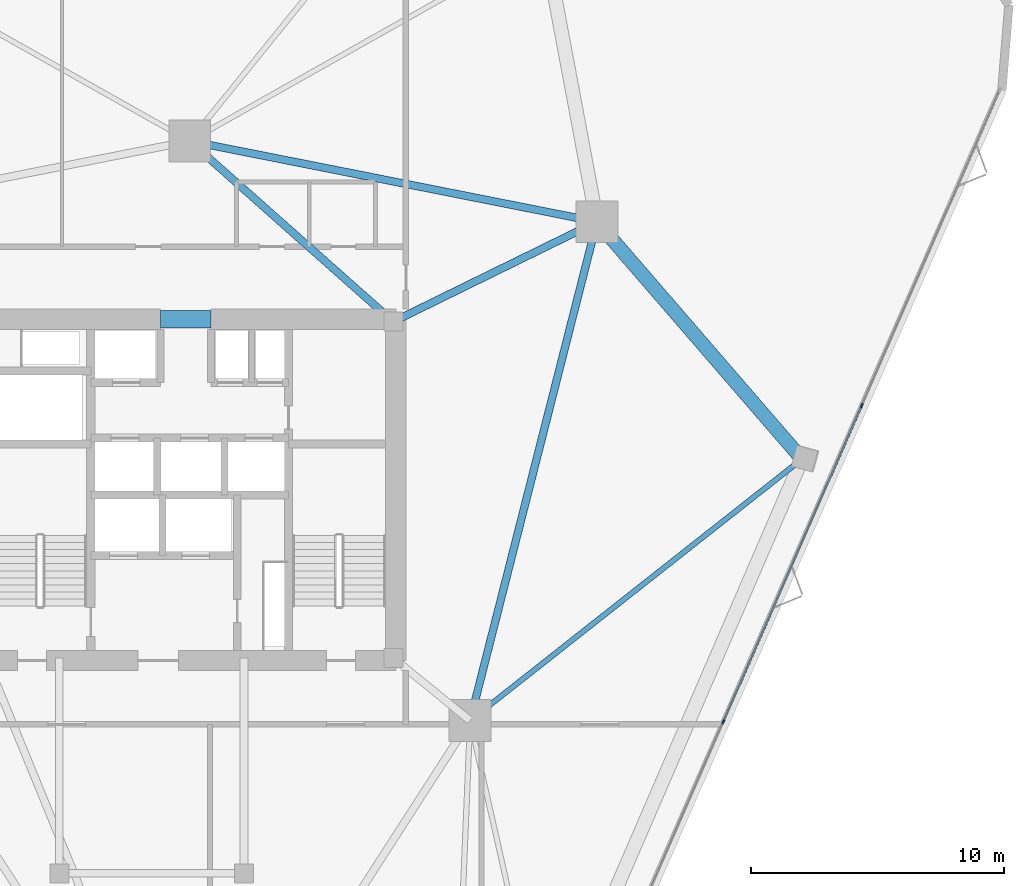
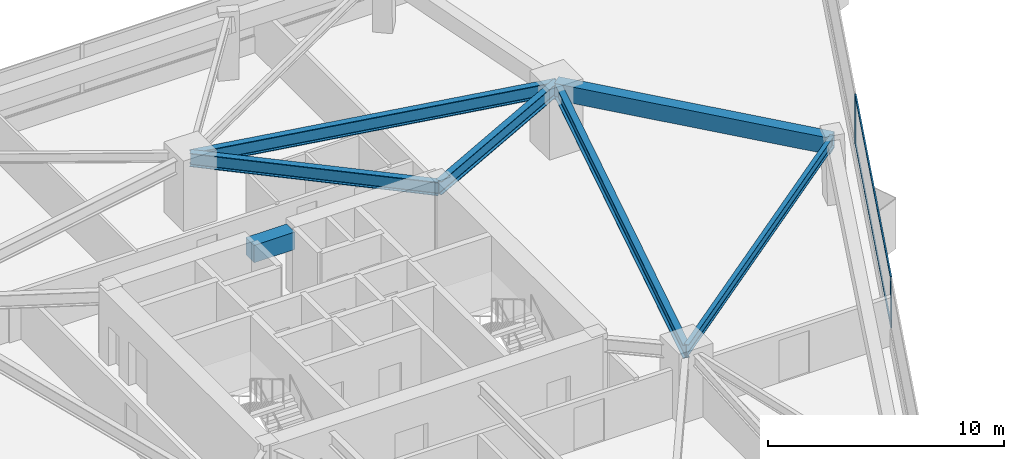
# One storey, part 10 of 20: 7 beams, 4 members, 1 element without a shape of its own.
"""IFC4 building model written with IfcOpenShell, lengths in metres."""

from ifc_helpers import new_model, si_unit, direction, frame, origin, origin_2d, place, context, subcontext, project, spatial, rectangle, i_section, extrude, material, layer, layer_set, material_profile, profile_set, type_object, element, aggregate, save


model = new_model("IFC4")

# Units and contexts
model_context = context("Model", 3, precision=1e-05, world=origin(), true_north=direction((0.0, 1.0)))
body_context = subcontext(model_context, "Body", "Model", "MODEL_VIEW")
ifc_project = project(units=[si_unit("LENGTHUNIT", "METRE"), si_unit("AREAUNIT", "SQUARE_METRE"), si_unit("VOLUMEUNIT", "CUBIC_METRE"), si_unit("PLANEANGLEUNIT", "RADIAN"), si_unit("MASSUNIT", "GRAM", prefix="KILO")], contexts=[model_context])

# Site, building, storey
site_placement = place(None, origin())
site = spatial("IfcSite", under=ifc_project, at=site_placement, CompositionType="ELEMENT")
building_placement = place(site_placement, origin())
building = spatial("IfcBuilding", under=site, at=building_placement, Name="Talyreon Biosciences Tower", CompositionType="ELEMENT")
storey_placement = place(building_placement, frame((0.0, 0.0, 75.0)))
storey = spatial("IfcBuildingStorey", under=building, at=storey_placement, Name="L19", CompositionType="ELEMENT", Elevation=75.0)

# Curtain wall, members
ifc_material_1 = material(Name="Thermally broken aluminium and low-E glazing", Category="aluminium")
ifc_layer = layer(ifc_material_1, 0.18994140625)
ifc_layer_set = layer_set([ifc_layer], Name="Thermally broken aluminium and low-E glazing")
curtain_wall_type = type_object("IfcCurtainWallType", Name="CurtainWall_Zone2Genomics", PredefinedType="NOTDEFINED", material=ifc_layer_set)
curtain_wall_placement = place(storey_placement, origin())
curtain_wall = element("IfcCurtainWall", 1, at=curtain_wall_placement, inside=storey, type_object=curtain_wall_type, Name="L19 Unitised Curtain Wall FCW-L19-08", PredefinedType="NOTDEFINED")
ifc_material_2 = material(Name="Anodised thermally broken aluminium", Category="aluminium")
ifc_material_profile_1 = material_profile(ifc_material_2, rectangle(XDim=0.06494140625, YDim=0.179931640625, at=origin_2d()), Name="ALUM MULLION 65x180")
ifc_profile_set_1 = profile_set([ifc_material_profile_1], Name="Anodised thermally broken aluminium")
member_type_1 = type_object("IfcMemberType", Name="CWMullion_65x180", PredefinedType="MULLION", material=ifc_profile_set_1)
member_1_placement = place(storey_placement, frame((92.57080078125, 71.33251953125, 0.81005859375), z_axis=(0.0, 0.0, 1.0), x_axis=(0.916151953082, -0.400831135099, 0.0)))
member_1 = element("IfcMember", 2, at=member_1_placement, type_object=member_type_1, Name="CW3 mullion 2", PredefinedType="MULLION", context=body_context, shape_type="SweptSolid", body=[
    extrude(rectangle(XDim=0.06494140625, YDim=0.179931640625, at=origin_2d()), origin(), (0.0, 0.0, 1.0), 2.56494140625),
])
member_2_placement = place(storey_placement, frame((87.1005859375, 58.830078125, 0.81005859375), z_axis=(0.0, 0.0, 1.0), x_axis=(0.916151953082, -0.400831135099, 0.0)))
member_2 = element("IfcMember", 3, at=member_2_placement, type_object=member_type_1, Name="CW3 mullion 3", PredefinedType="MULLION", context=body_context, shape_type="SweptSolid", body=[
    extrude(rectangle(XDim=0.06494140625, YDim=0.179931640625, at=origin_2d()), origin(), (0.0, 0.0, 1.0), 2.56494140625),
])
ifc_material_profile_2 = material_profile(ifc_material_2, rectangle(XDim=0.06494140625, YDim=0.139892578125, at=origin_2d()), Name="ALUM TRANSOM 65x140")
ifc_profile_set_2 = profile_set([ifc_material_profile_2], Name="Anodised thermally broken aluminium")
member_type_2 = type_object("IfcMemberType", Name="CWTransom_65x140", PredefinedType="USERDEFINED", material=ifc_profile_set_2)
member_3_placement = place(storey_placement, frame((92.5576171875, 71.302734375, 0.842529296875), z_axis=(-0.40082449197, -0.916154859528, 0.0), x_axis=(0.916154859528, -0.40082449197, 0.0)))
member_3 = element("IfcMember", 4, at=member_3_placement, type_object=member_type_2, Name="CW3 transom 2.1", ObjectType="TRANSOM", PredefinedType="USERDEFINED", context=body_context, shape_type="SweptSolid", body=[
    extrude(rectangle(XDim=0.06494140625, YDim=0.139892578125, at=origin_2d()), origin(), (0.0, 0.0, 1.0), 13.58154296875),
])
member_4_placement = place(storey_placement, frame((92.5576171875, 71.302734375, 3.342529296875), z_axis=(-0.40082449197, -0.916154859528, 0.0), x_axis=(0.916154859528, -0.40082449197, 0.0)))
member_4 = element("IfcMember", 5, at=member_4_placement, type_object=member_type_2, Name="CW3 transom 2.2", ObjectType="TRANSOM", PredefinedType="USERDEFINED", context=body_context, shape_type="SweptSolid", body=[
    extrude(rectangle(XDim=0.06494140625, YDim=0.139892578125, at=origin_2d()), origin(), (0.0, 0.0, 1.0), 13.58154296875),
])
aggregate(curtain_wall, [member_1, member_2, member_3, member_4])

# Beams
ifc_material_3 = material(Name="Concrete C60/75", Category="concrete")
ifc_material_profile_3 = material_profile(ifc_material_3, rectangle(XDim=0.699951171875, YDim=0.89990234375, at=origin_2d()), Name="RCB 700x900")
ifc_profile_set_3 = profile_set([ifc_material_profile_3], Name="Concrete C60/75")
beam_type_1 = type_object("IfcBeamType", Name="CoreCouplingLintel_700x900", PredefinedType="LINTEL", material=ifc_profile_set_3)
beam_1_placement = place(storey_placement, frame((64.85009765625, 74.75, 2.925048828125), z_axis=(1.0, 0.0, 0.0), x_axis=(0.0, 1.0, 0.0)))
element("IfcBeam", 6, at=beam_1_placement, inside=storey, type_object=beam_type_1, Name="L19 Core Coupling Lintel", PredefinedType="LINTEL", context=body_context, shape_type="SweptSolid", body=[
    extrude(rectangle(XDim=0.699951171875, YDim=0.89990234375, at=origin_2d()), origin(), (0.0, 0.0, 1.0), 2.0),
])
ifc_material_4 = material(Name="Precast concrete C45/55", Category="concrete")
ifc_material_profile_4 = material_profile(ifc_material_4, rectangle(XDim=0.550048828125, YDim=0.85009765625, at=origin_2d()), Name="RCB 550x850")
ifc_profile_set_4 = profile_set([ifc_material_profile_4], Name="Precast concrete C45/55")
beam_type_2 = type_object("IfcBeamType", Name="ExpressedSpandrel_550x850", PredefinedType="SPANDREL", material=ifc_profile_set_4)
beam_2_placement = place(storey_placement, frame((90.210205078125, 69.21923828125, 2.949951171875), z_axis=(-0.653967403907, 0.756522725784, 0.0), x_axis=(-0.756522725784, -0.653967403907, 0.0)))
element("IfcBeam", 7, at=beam_2_placement, inside=storey, type_object=beam_type_2, Name="L19 Expressed Horizontal Concrete Spandrel 04", PredefinedType="SPANDREL", context=body_context, shape_type="SweptSolid", body=[
    extrude(rectangle(XDim=0.550048828125, YDim=0.85009765625, at=origin_2d()), origin(), (0.0, 0.0, 1.0), 12.39794921875),
])
ifc_material_5 = material(Name="Steel SM355", Category="steel")
ifc_material_profile_5 = material_profile(ifc_material_5, i_section(OverallWidth=0.300048828125, OverallDepth=0.699951171875, WebThickness=0.01708984375, FlangeThickness=0.031982421875, FilletRadius=0.027099609375, at=origin_2d()), Name="HE700B")
ifc_profile_set_5 = profile_set([ifc_material_profile_5], Name="Steel SM355")
beam_type_3 = type_object("IfcBeamType", Name="SteelGirder_HE700B", PredefinedType="BEAM", material=ifc_profile_set_5)
beam_3_placement = place(storey_placement, frame((77.086181640625, 58.88037109375, 3.02490234375), z_axis=(0.246537082299, 0.969133358755, 0.0), x_axis=(-0.969133358755, 0.246537082299, 0.0)))
element("IfcBeam", 8, at=beam_3_placement, inside=storey, type_object=beam_type_3, Name="L19 Mega-Ring Girder 2", PredefinedType="BEAM", context=body_context, shape_type="SweptSolid", body=[
    extrude(i_section(OverallWidth=0.300048828125, OverallDepth=0.699951171875, WebThickness=0.01708984375, FlangeThickness=0.031982421875, FilletRadius=0.027099609375, at=origin_2d()), origin(), (0.0, 0.0, 1.0), 20.34619140625),
])
beam_4_placement = place(storey_placement, frame((82.102294921875, 78.5986328125, 3.02490234375), z_axis=(-0.980933730698, 0.194342522311, 0.0), x_axis=(-0.194342522311, -0.980933730698, 0.0)))
element("IfcBeam", 9, at=beam_4_placement, inside=storey, type_object=beam_type_3, Name="L19 Mega-Ring Girder 3", PredefinedType="BEAM", context=body_context, shape_type="SweptSolid", body=[
    extrude(i_section(OverallWidth=0.300048828125, OverallDepth=0.699951171875, WebThickness=0.01708984375, FlangeThickness=0.031982421875, FilletRadius=0.027099609375, at=origin_2d()), origin(), (0.0, 0.0, 1.0), 16.415283203125),
])
beam_5_placement = place(storey_placement, frame((74.050048828125, 74.64990234375, 3.02490234375), z_axis=(0.897852360314, 0.440296648952, 0.0), x_axis=(-0.440296648952, 0.897852360314, 0.0)))
element("IfcBeam", 10, at=beam_5_placement, inside=storey, type_object=beam_type_3, Name="L19 Radial Primary Girder 3", PredefinedType="BEAM", context=body_context, shape_type="SweptSolid", body=[
    extrude(i_section(OverallWidth=0.300048828125, OverallDepth=0.699951171875, WebThickness=0.01708984375, FlangeThickness=0.031982421875, FilletRadius=0.027099609375, at=origin_2d()), origin(), (0.0, 0.0, 1.0), 8.96826171875),
])
beam_6_placement = place(storey_placement, frame((74.050048828125, 74.64990234375, 3.02490234375), z_axis=(-0.748178733955, 0.663497235908, 0.0), x_axis=(-0.663497235908, -0.748178733955, 0.0)))
element("IfcBeam", 11, at=beam_6_placement, inside=storey, type_object=beam_type_3, Name="L19 Radial Primary Girder 4", PredefinedType="BEAM", context=body_context, shape_type="SweptSolid", body=[
    extrude(i_section(OverallWidth=0.300048828125, OverallDepth=0.699951171875, WebThickness=0.01708984375, FlangeThickness=0.031982421875, FilletRadius=0.027099609375, at=origin_2d()), origin(), (0.0, 0.0, 1.0), 10.759521484375),
])
ifc_material_profile_6 = material_profile(ifc_material_5, i_section(OverallWidth=0.2099609375, OverallDepth=0.550048828125, WebThickness=0.010986328125, FlangeThickness=0.01708984375, FilletRadius=0.02392578125, at=origin_2d()), Name="IPE550")
ifc_profile_set_6 = profile_set([ifc_material_profile_6], Name="Steel SM355")
beam_type_4 = type_object("IfcBeamType", Name="SteelJoist_IPE550", PredefinedType="JOIST", material=ifc_profile_set_6)
beam_7_placement = place(storey_placement, frame((77.086181640625, 58.88037109375, 3.10009765625), z_axis=(0.785528695577, 0.618825232538, 0.0), x_axis=(-0.618825232538, 0.785528695577, 0.0)))
element("IfcBeam", 12, at=beam_7_placement, inside=storey, type_object=beam_type_4, Name="L19 Radial Composite Floor Joist PC-SE2", PredefinedType="JOIST", context=body_context, shape_type="SweptSolid", body=[
    extrude(i_section(OverallWidth=0.2099609375, OverallDepth=0.550048828125, WebThickness=0.010986328125, FlangeThickness=0.01708984375, FilletRadius=0.02392578125, at=origin_2d()), origin(), (0.0, 0.0, 1.0), 16.707275390625),
])

save(model, "model.ifc")
